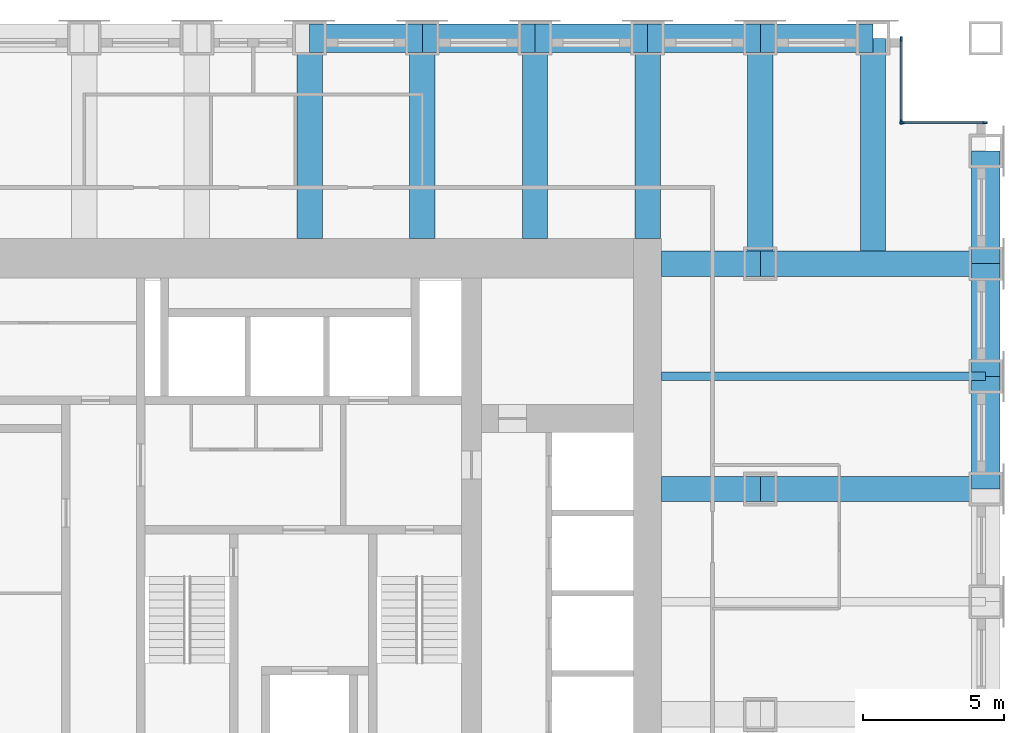
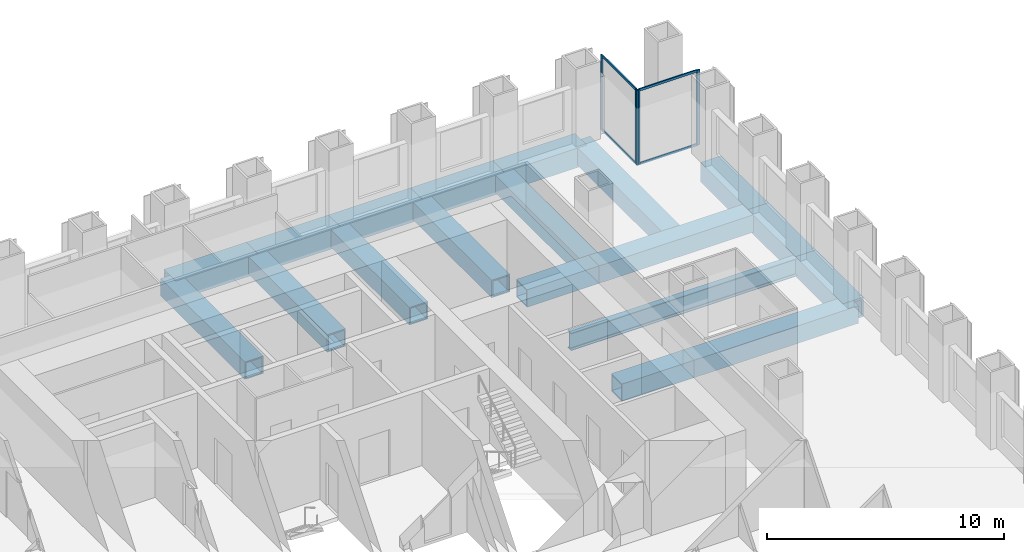
# One storey, part 7 of 15: 19 beams, 8 members, 2 elements without a shape of their own.
"""IFC4 building model written with IfcOpenShell, lengths in metres."""

import ifcopenshell
import ifcopenshell.guid

model = None  # the IFC model being written
_history = None  # IfcOwnerHistory: only IFC2X3 demands one
_inside = {}  # id of a spatial element -> (the spatial element, [elements in it])
_under = {}  # id of a project, library or spatial element -> (it, [spatial elements below it])
_declared = {}  # id of a project -> (the project, [libraries it declares])
_typed = {}  # id of a type object -> (the type object, [elements of that type])
_made_of = {}  # id of a material, layer set ... -> (it, [elements and type objects made of it])


def new_model(schema):
    """Start an empty IFC model of exactly this schema.

    Asked for "IFC4X3", IfcOpenShell would pick the latest addendum, in which some entities
    have other attributes; the version numbers below select the first issue.
    IFC2X3 requires an IfcOwnerHistory on every rooted entity: one is made here for all.
    """
    global model, _history
    if schema == "IFC4X3":
        model = ifcopenshell.file(schema_version=(4, 3, 0, 0))
    else:
        model = ifcopenshell.file(schema=schema)
    _inside.clear()
    _under.clear()
    _declared.clear()
    _typed.clear()
    _made_of.clear()
    _history = None
    if model.schema == "IFC2X3":
        org = make("IfcOrganization", Name="unknown")
        user = make(
            "IfcPersonAndOrganization",
            ThePerson=make("IfcPerson", FamilyName="unknown"),
            TheOrganization=org,
        )
        app = make(
            "IfcApplication",
            ApplicationDeveloper=org,
            Version="unknown",
            ApplicationFullName="unknown",
            ApplicationIdentifier="unknown",
        )
        _history = make(
            "IfcOwnerHistory",
            OwningUser=user,
            OwningApplication=app,
            ChangeAction="ADDED",
            CreationDate=0,
        )
    return model


def make(cls, **values):
    """One entity of the class cls with the attributes given. An attribute that is None is left unset."""
    return model.create_entity(
        cls, **{name: value for name, value in values.items() if value is not None}
    )


def rooted(cls, **values):
    """An entity with a GlobalId (a new one), such as an element, a storey or a relation."""
    return make(cls, GlobalId=ifcopenshell.guid.new(), OwnerHistory=_history, **values)


def si_unit(unit_type, name, prefix=None):
    """IfcSIUnit, for example si_unit("LENGTHUNIT", "METRE", prefix="MILLI")."""
    return make("IfcSIUnit", UnitType=unit_type, Prefix=prefix, Name=name)


def assignment(units):
    """IfcUnitAssignment: the units of a project."""
    return None if units is None else make("IfcUnitAssignment", Units=units)


def point(xyz):
    """IfcCartesianPoint."""
    return None if xyz is None else make("IfcCartesianPoint", Coordinates=xyz)


def direction(xyz):
    """IfcDirection."""
    return None if xyz is None else make("IfcDirection", DirectionRatios=xyz)


def frame(location, z_axis=None, x_axis=None):
    """IfcAxis2Placement3D, a coordinate frame: its origin and axes. An axis left out is left unset."""
    return make(
        "IfcAxis2Placement3D",
        Location=point(location),
        Axis=direction(z_axis),
        RefDirection=direction(x_axis),
    )


def frame_2d(location, x_axis=None):
    """IfcAxis2Placement2D, a coordinate frame in the plane: its origin and x axis."""
    return make(
        "IfcAxis2Placement2D", Location=point(location), RefDirection=direction(x_axis)
    )


def origin():
    """The frame at (0, 0, 0) with its axes left unset."""
    return frame((0.0, 0.0, 0.0))


def origin_2d():
    """The frame at (0, 0) in the plane with its x axis left unset."""
    return frame_2d((0.0, 0.0))


def place(relative_to, where):
    """IfcLocalPlacement: puts the frame where relative to a parent placement (None: the world)."""
    return make(
        "IfcLocalPlacement", PlacementRelTo=relative_to, RelativePlacement=where
    )


def context(
    kind, dimensions, precision=None, world=None, true_north=None, identifier=None
):
    """IfcGeometricRepresentationContext, for example the 3D "Model" context."""
    return make(
        "IfcGeometricRepresentationContext",
        ContextIdentifier=identifier,
        ContextType=kind,
        CoordinateSpaceDimension=dimensions,
        Precision=precision,
        WorldCoordinateSystem=world,
        TrueNorth=true_north,
    )


def subcontext(parent, identifier, kind, view, scale=None):
    """IfcGeometricRepresentationSubContext, for example "Body" below "Model"."""
    return make(
        "IfcGeometricRepresentationSubContext",
        ContextIdentifier=identifier,
        ContextType=kind,
        ParentContext=parent,
        TargetScale=scale,
        TargetView=view,
    )


def project(units=None, contexts=None):
    """IfcProject with its units and contexts."""
    return rooted(
        "IfcProject",
        Name="project",
        RepresentationContexts=contexts,
        UnitsInContext=assignment(units),
    )


def spatial(cls, under=None, at=None, **own):
    """A site, building, storey or space (cls), placed at a placement, below another one or the project."""
    s = rooted(cls, ObjectPlacement=at, **own)
    if under is not None:
        _under.setdefault(under.id(), (under, []))[1].append(s)
    return s


def profile(cls, at=None, kind="AREA", **sizes):
    """A parametric profile (cls). Its sizes go by their IFC names, for example OverallWidth=200.0."""
    return make(cls, ProfileType=kind, Position=at, **sizes)


def rectangle(**sizes):
    """IfcRectangleProfileDef."""
    return profile("IfcRectangleProfileDef", **sizes)


def hollow_rectangle(**sizes):
    """IfcRectangleHollowProfileDef."""
    return profile("IfcRectangleHollowProfileDef", **sizes)


def i_section(**sizes):
    """IfcIShapeProfileDef."""
    return profile("IfcIShapeProfileDef", **sizes)


def extrude(swept, where, along, depth):
    """IfcExtrudedAreaSolid: the profile swept, set in the frame where, extruded along a direction by depth."""
    return make(
        "IfcExtrudedAreaSolid",
        SweptArea=swept,
        Position=where,
        ExtrudedDirection=direction(along),
        Depth=depth,
    )


def shape(context_of_items, identifier, shape_type, items):
    """IfcShapeRepresentation: the items that make up one representation, for example the "Body"."""
    return make(
        "IfcShapeRepresentation",
        ContextOfItems=context_of_items,
        RepresentationIdentifier=identifier,
        RepresentationType=shape_type,
        Items=items,
    )


def material(Name=None, Category=None):
    """IfcMaterial."""
    return make("IfcMaterial", Name=Name, Category=Category)


def material_profile(
    of_material, cross_section, Name=None, Category=None, Priority=None
):
    """IfcMaterialProfile: a cross section and its material."""
    return make(
        "IfcMaterialProfile",
        Name=Name,
        Material=of_material,
        Profile=cross_section,
        Priority=Priority,
        Category=Category,
    )


def profile_set(profiles, Name=None, composite=None):
    """IfcMaterialProfileSet."""
    return make(
        "IfcMaterialProfileSet",
        Name=Name,
        MaterialProfiles=profiles,
        CompositeProfile=composite,
    )


def made_of(thing, what):
    """Note that an element or type object is made of a material, layer set ...; save() writes the relation."""
    if what is not None:
        _made_of.setdefault(what.id(), (what, []))[1].append(thing)
    return thing


def type_object(cls, material=None, **own):
    """A type object (cls), such as IfcWallType, which elements share."""
    return made_of(rooted(cls, **own), material)


def element(
    cls,
    number,
    at=None,
    inside=None,
    cuts=None,
    type_object=None,
    material=None,
    context=None,
    identifier="Body",
    shape_type=None,
    held_by="IfcProductDefinitionShape",
    body=None,
    shapes=None,
    **own,
):
    """One element of the class cls, such as IfcWall. Its Tag is "e" and its number.

    at: its placement. inside: the storey or other place that contains it. cuts: it is an
    opening in that element (IfcRelVoidsElement). A single representation is given by context,
    identifier, shape_type and body (its items); several are given by shapes. held_by: the class
    of the entity that holds the representations. save() writes the other relations.
    """
    e = rooted(cls, Tag="e%d" % number, ObjectPlacement=at, **own)
    if body is not None:
        shapes = [shape(context, identifier, shape_type, body)]
    if shapes is not None:
        e.Representation = make(held_by, Representations=shapes)
    if inside is not None:
        _inside.setdefault(inside.id(), (inside, []))[1].append(e)
    if cuts is not None:
        rooted(
            "IfcRelVoidsElement", RelatingBuildingElement=cuts, RelatedOpeningElement=e
        )
    if type_object is not None:
        _typed.setdefault(type_object.id(), (type_object, []))[1].append(e)
    return made_of(e, material)


def aggregate(whole, parts):
    """IfcRelAggregates: a whole, such as a stair, and the parts it consists of."""
    return rooted("IfcRelAggregates", RelatingObject=whole, RelatedObjects=parts)


def save(model, path):
    """Write the relations noted so far, then the file.

    IfcRelAggregates (storeys below a building ...), IfcRelContainedInSpatialStructure (elements
    in a storey), IfcRelDefinesByType, IfcRelAssociatesMaterial and IfcRelDeclares: one each for
    every whole, place, type object, material and project.
    """
    for whole, parts in _under.values():
        aggregate(whole, parts)
    for where, things in _inside.values():
        rooted(
            "IfcRelContainedInSpatialStructure",
            RelatedElements=things,
            RelatingStructure=where,
        )
    for kind, things in _typed.values():
        rooted("IfcRelDefinesByType", RelatedObjects=things, RelatingType=kind)
    for what, things in _made_of.values():
        rooted("IfcRelAssociatesMaterial", RelatedObjects=things, RelatingMaterial=what)
    for by, libraries in _declared.values():
        rooted("IfcRelDeclares", RelatingContext=by, RelatedDefinitions=libraries)
    model.write(path)


model = new_model("IFC4")

# Units and contexts
model_context = context("Model", 3, precision=1e-05, world=origin(), true_north=direction((0.0, 1.0)))
body_context = subcontext(model_context, "Body", "Model", "MODEL_VIEW")
ifc_project = project(units=[si_unit("LENGTHUNIT", "METRE"), si_unit("AREAUNIT", "SQUARE_METRE"), si_unit("VOLUMEUNIT", "CUBIC_METRE"), si_unit("PLANEANGLEUNIT", "RADIAN"), si_unit("MASSUNIT", "GRAM", prefix="KILO")], contexts=[model_context])

# Site, building, storey
site_placement = place(None, origin())
site = spatial("IfcSite", under=ifc_project, at=site_placement, CompositionType="ELEMENT")
building_placement = place(site_placement, origin())
building = spatial("IfcBuilding", under=site, at=building_placement, Name="Rimbunsela Tower", CompositionType="ELEMENT")
storey_placement = place(building_placement, frame((0.0, 0.0, 27.0)))
storey = spatial("IfcBuildingStorey", under=building, at=storey_placement, Name="L06", CompositionType="ELEMENT", Elevation=27.0)

# Beams
ifc_material_1 = material(Name="Steel BJ 55 (fy 410 MPa)", Category="steel")
ifc_material_profile_1 = material_profile(ifc_material_1, hollow_rectangle(XDim=1.0, YDim=1.0, WallThickness=0.10009765625, at=origin_2d()), Name="BOX 1000x1000x100")
ifc_profile_set_1 = profile_set([ifc_material_profile_1], Name="Steel BJ 55 (fy 410 MPa)")
beam_type_1 = type_object("IfcBeamType", Name="Beam BOX 1000x1000x100", PredefinedType="BEAM", material=ifc_profile_set_1)
for number, where, z_axis, x_axis, name in (
    (1, (30.0, 44.0, -0.64990234375), (1.0, 0.0, 0.0), (0.0, 1.0, 0.0), "Beam B3 L06"),
    (2, (34.0, 44.0, -0.64990234375), (1.0, 0.0, 0.0), (0.0, 1.0, 0.0), "Beam B3 L06"),
    (3, (38.0, 44.0, -0.64990234375), (1.0, 0.0, 0.0), (0.0, 1.0, 0.0), "Beam B3 L06"),
    (4, (42.0, 44.0, -0.64990234375), (1.0, 0.0, 0.0), (0.0, 1.0, 0.0), "Beam B3 L06"),
    (5, (46.0, 44.0, -0.64990234375), (1.0, 0.0, 0.0), (0.0, 1.0, 0.0), "Beam B3 L06"),
    (6, (54.0, 28.0, -0.64990234375), (0.0, 1.0, 0.0), (-1.0, 0.0, 0.0), "Beam B3 L06"),
    (7, (54.0, 32.0, -0.64990234375), (0.0, 1.0, 0.0), (-1.0, 0.0, 0.0), "Beam B3 L06"),
    (8, (54.0, 36.0, -0.64990234375), (0.0, 1.0, 0.0), (-1.0, 0.0, 0.0), "Beam B3 L06"),
):
    element("IfcBeam", number, at=place(storey_placement, frame(where, z_axis=z_axis, x_axis=x_axis)), inside=storey, type_object=beam_type_1, Name=name, PredefinedType="BEAM", context=body_context, shape_type="SweptSolid", body=[
        extrude(hollow_rectangle(XDim=1.0, YDim=1.0, WallThickness=0.10009765625, at=origin_2d()), origin(), (0.0, 0.0, 1.0), 4.0),
    ])
ifc_material_2 = material(Name="Steel BJ 55 (fy 410 MPa)", Category="steel")
ifc_material_profile_2 = material_profile(ifc_material_2, hollow_rectangle(XDim=0.89990234375, YDim=0.89990234375, WallThickness=0.06005859375, at=origin_2d()), Name="BOX 900x900x60")
ifc_profile_set_2 = profile_set([ifc_material_profile_2], Name="Steel BJ 55 (fy 410 MPa)")
beam_type_2 = type_object("IfcBeamType", Name="Beam BOX 900x900x60", PredefinedType="BEAM", material=ifc_profile_set_2)
for number, where, z_axis, x_axis, name in (
    (9, (30.0, 36.89990234375, -0.60009765625), (0.0, 1.0, 0.0), (-1.0, 0.0, 0.0), "Beam B1 L06"),
    (10, (34.0, 36.89990234375, -0.60009765625), (0.0, 1.0, 0.0), (-1.0, 0.0, 0.0), "Beam B1 L06"),
    (11, (38.0, 36.89990234375, -0.60009765625), (0.0, 1.0, 0.0), (-1.0, 0.0, 0.0), "Beam B1 L06"),
    (12, (42.0, 36.89990234375, -0.60009765625), (0.0, 1.0, 0.0), (-1.0, 0.0, 0.0), "Beam B1 L06"),
):
    element("IfcBeam", number, at=place(storey_placement, frame(where, z_axis=z_axis, x_axis=x_axis)), inside=storey, type_object=beam_type_2, Name=name, PredefinedType="BEAM", context=body_context, shape_type="SweptSolid", body=[
        extrude(hollow_rectangle(XDim=0.89990234375, YDim=0.89990234375, WallThickness=0.06005859375, at=origin_2d()), origin(), (0.0, 0.0, 1.0), 7.10009765625),
    ])
for number, where, z_axis, x_axis, name in (
    (13, (42.5, 28.0, -0.60009765625), (1.0, 0.0, 0.0), (0.0, 1.0, 0.0), "Beam B1 L06"),
    (14, (42.5, 36.0, -0.60009765625), (1.0, 0.0, 0.0), (0.0, 1.0, 0.0), "Beam B1 L06"),
):
    element("IfcBeam", number, at=place(storey_placement, frame(where, z_axis=z_axis, x_axis=x_axis)), inside=storey, type_object=beam_type_2, Name=name, PredefinedType="BEAM", context=body_context, shape_type="SweptSolid", body=[
        extrude(hollow_rectangle(XDim=0.89990234375, YDim=0.89990234375, WallThickness=0.06005859375, at=origin_2d()), origin(), (0.0, 0.0, 1.0), 3.5),
    ])
for number, where, z_axis, x_axis, name in (
    (15, (46.0, 28.0, -0.60009765625), (1.0, 0.0, 0.0), (0.0, 1.0, 0.0), "Beam B1 L06"),
    (16, (46.0, 36.0, -0.60009765625), (0.0, 1.0, 0.0), (-1.0, 0.0, 0.0), "Beam B1 L06"),
    (17, (46.0, 36.0, -0.60009765625), (1.0, 0.0, 0.0), (0.0, 1.0, 0.0), "Beam B1 L06"),
):
    element("IfcBeam", number, at=place(storey_placement, frame(where, z_axis=z_axis, x_axis=x_axis)), inside=storey, type_object=beam_type_2, Name=name, PredefinedType="BEAM", context=body_context, shape_type="SweptSolid", body=[
        extrude(hollow_rectangle(XDim=0.89990234375, YDim=0.89990234375, WallThickness=0.06005859375, at=origin_2d()), origin(), (0.0, 0.0, 1.0), 8.0),
    ])
beam_1_placement = place(storey_placement, frame((50.0, 36.449951171875, -0.60009765625), z_axis=(0.0, 1.0, 0.0), x_axis=(-1.0, 0.0, 0.0)))
element("IfcBeam", 18, at=beam_1_placement, inside=storey, type_object=beam_type_2, Name="Beam B1 L06", PredefinedType="BEAM", context=body_context, shape_type="SweptSolid", body=[
    extrude(hollow_rectangle(XDim=0.89990234375, YDim=0.89990234375, WallThickness=0.06005859375, at=origin_2d()), origin(), (0.0, 0.0, 1.0), 7.550048828125),
])
ifc_material_3 = material(Name="Steel BJ 55 (fy 410 MPa)", Category="steel")
ifc_material_profile_3 = material_profile(ifc_material_3, i_section(OverallWidth=0.300048828125, OverallDepth=0.89990234375, WebThickness=0.01611328125, FlangeThickness=0.028076171875, FilletRadius=0.028076171875, at=origin_2d()), Name="H 900x300x16x28")
ifc_profile_set_3 = profile_set([ifc_material_profile_3], Name="Steel BJ 55 (fy 410 MPa)")
beam_type_3 = type_object("IfcBeamType", Name="Beam H 900x300x16x28", PredefinedType="BEAM", material=ifc_profile_set_3)
beam_2_placement = place(storey_placement, frame((42.5, 32.0, -0.60009765625), z_axis=(1.0, 0.0, 0.0), x_axis=(0.0, 1.0, 0.0)))
element("IfcBeam", 19, at=beam_2_placement, inside=storey, type_object=beam_type_3, Name="Beam B2 L06", PredefinedType="BEAM", context=body_context, shape_type="SweptSolid", body=[
    extrude(i_section(OverallWidth=0.300048828125, OverallDepth=0.89990234375, WebThickness=0.01611328125, FlangeThickness=0.028076171875, FilletRadius=0.028076171875, at=origin_2d()), origin(), (0.0, 0.0, 1.0), 11.5),
])

# Curtain wall, members
ifc_material_4 = material(Name="Aluminium curtain wall", Category="aluminium")
curtain_wall_type = type_object("IfcCurtainWallType", Name="Corner glazing", PredefinedType="USERDEFINED", material=ifc_material_4)
curtain_wall_1_placement = place(storey_placement, origin())
curtain_wall_1 = element("IfcCurtainWall", 20, at=curtain_wall_1_placement, inside=storey, type_object=curtain_wall_type, Name="Corner glazing L06", ObjectType="CORNER GLAZING", PredefinedType="USERDEFINED")
ifc_material_5 = material(Name="Aluminium mullion", Category="aluminium")
ifc_material_profile_4 = material_profile(ifc_material_5, rectangle(XDim=0.06005859375, YDim=0.159912109375, at=origin_2d()), Name="Mullion 60x160")
ifc_profile_set_4 = profile_set([ifc_material_profile_4], Name="Aluminium mullion")
member_type_1 = type_object("IfcMemberType", Name="Curtain wall mullion 60x160", PredefinedType="MULLION", material=ifc_profile_set_4)
member_1_placement = place(storey_placement, frame((53.969970703125, 41.0, 0.0), z_axis=(0.0, 0.0, 1.0), x_axis=(0.0, -1.0, 0.0)))
member_1 = element("IfcMember", 21, at=member_1_placement, type_object=member_type_1, Name="CW5 mullion 1", PredefinedType="MULLION", context=body_context, shape_type="SweptSolid", body=[
    extrude(rectangle(XDim=0.06005859375, YDim=0.159912109375, at=origin_2d()), origin(), (0.0, 0.0, 1.0), 3.85009765625),
])
member_2_placement = place(storey_placement, frame((51.030029296875, 41.0, 0.0), z_axis=(0.0, 0.0, 1.0), x_axis=(0.0, -1.0, 0.0)))
member_2 = element("IfcMember", 22, at=member_2_placement, type_object=member_type_1, Name="CW5 mullion 2", PredefinedType="MULLION", context=body_context, shape_type="SweptSolid", body=[
    extrude(rectangle(XDim=0.06005859375, YDim=0.159912109375, at=origin_2d()), origin(), (0.0, 0.0, 1.0), 3.85009765625),
])

curtain_wall_2_placement = place(storey_placement, origin())
curtain_wall_2 = element("IfcCurtainWall", 23, at=curtain_wall_2_placement, inside=storey, type_object=curtain_wall_type, Name="Corner glazing L06", ObjectType="CORNER GLAZING", PredefinedType="USERDEFINED")
member_3_placement = place(storey_placement, frame((51.0, 41.030029296875, 0.0), z_axis=(0.0, 0.0, 1.0), x_axis=(-1.0, 0.0, 0.0)))
member_3 = element("IfcMember", 24, at=member_3_placement, type_object=member_type_1, Name="CW5 mullion 1", PredefinedType="MULLION", context=body_context, shape_type="SweptSolid", body=[
    extrude(rectangle(XDim=0.06005859375, YDim=0.159912109375, at=origin_2d()), origin(), (0.0, 0.0, 1.0), 3.85009765625),
])
member_4_placement = place(storey_placement, frame((51.0, 43.969970703125, 0.0), z_axis=(0.0, 0.0, 1.0), x_axis=(-1.0, 0.0, 0.0)))
member_4 = element("IfcMember", 25, at=member_4_placement, type_object=member_type_1, Name="CW5 mullion 2", PredefinedType="MULLION", context=body_context, shape_type="SweptSolid", body=[
    extrude(rectangle(XDim=0.06005859375, YDim=0.159912109375, at=origin_2d()), origin(), (0.0, 0.0, 1.0), 3.85009765625),
])

# Member
ifc_material_6 = material(Name="Aluminium transom", Category="aluminium")
ifc_material_profile_5 = material_profile(ifc_material_6, rectangle(XDim=0.06005859375, YDim=0.1201171875, at=origin_2d()), Name="Transom 60x120")
ifc_profile_set_5 = profile_set([ifc_material_profile_5], Name="Aluminium transom")
member_type_2 = type_object("IfcMemberType", Name="Curtain wall transom 60x120", PredefinedType="USERDEFINED", material=ifc_profile_set_5)
member_5_placement = place(storey_placement, frame((53.93994140625, 41.0, 0.030029296875), z_axis=(-1.0, 0.0, 0.0), x_axis=(0.0, -1.0, 0.0)))
member_5 = element("IfcMember", 26, at=member_5_placement, type_object=member_type_2, Name="CW5 transom 1.1", ObjectType="TRANSOM", PredefinedType="USERDEFINED", context=body_context, shape_type="SweptSolid", body=[
    extrude(rectangle(XDim=0.06005859375, YDim=0.1201171875, at=origin_2d()), origin(), (0.0, 0.0, 1.0), 2.8798828125),
])

member_6_placement = place(storey_placement, frame((53.93994140625, 41.0, 3.820068359375), z_axis=(-1.0, 0.0, 0.0), x_axis=(0.0, -1.0, 0.0)))
member_6 = element("IfcMember", 27, at=member_6_placement, type_object=member_type_2, Name="CW5 transom 1.2", ObjectType="TRANSOM", PredefinedType="USERDEFINED", context=body_context, shape_type="SweptSolid", body=[
    extrude(rectangle(XDim=0.06005859375, YDim=0.1201171875, at=origin_2d()), origin(), (0.0, 0.0, 1.0), 2.8798828125),
])

aggregate(curtain_wall_1, [member_1, member_2, member_5, member_6])

member_7_placement = place(storey_placement, frame((51.0, 41.06005859375, 0.030029296875), z_axis=(0.0, 1.0, 0.0), x_axis=(-1.0, 0.0, 0.0)))
member_7 = element("IfcMember", 28, at=member_7_placement, type_object=member_type_2, Name="CW5 transom 1.1", ObjectType="TRANSOM", PredefinedType="USERDEFINED", context=body_context, shape_type="SweptSolid", body=[
    extrude(rectangle(XDim=0.06005859375, YDim=0.1201171875, at=origin_2d()), origin(), (0.0, 0.0, 1.0), 2.8798828125),
])

member_8_placement = place(storey_placement, frame((51.0, 41.06005859375, 3.820068359375), z_axis=(0.0, 1.0, 0.0), x_axis=(-1.0, 0.0, 0.0)))
member_8 = element("IfcMember", 29, at=member_8_placement, type_object=member_type_2, Name="CW5 transom 1.2", ObjectType="TRANSOM", PredefinedType="USERDEFINED", context=body_context, shape_type="SweptSolid", body=[
    extrude(rectangle(XDim=0.06005859375, YDim=0.1201171875, at=origin_2d()), origin(), (0.0, 0.0, 1.0), 2.8798828125),
])

aggregate(curtain_wall_2, [member_3, member_4, member_7, member_8])

save(model, "model.ifc")
